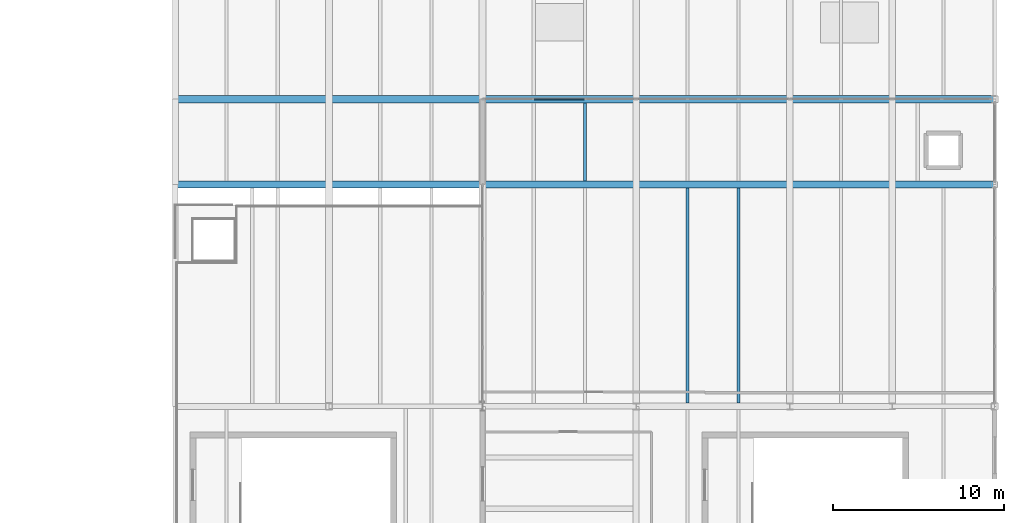
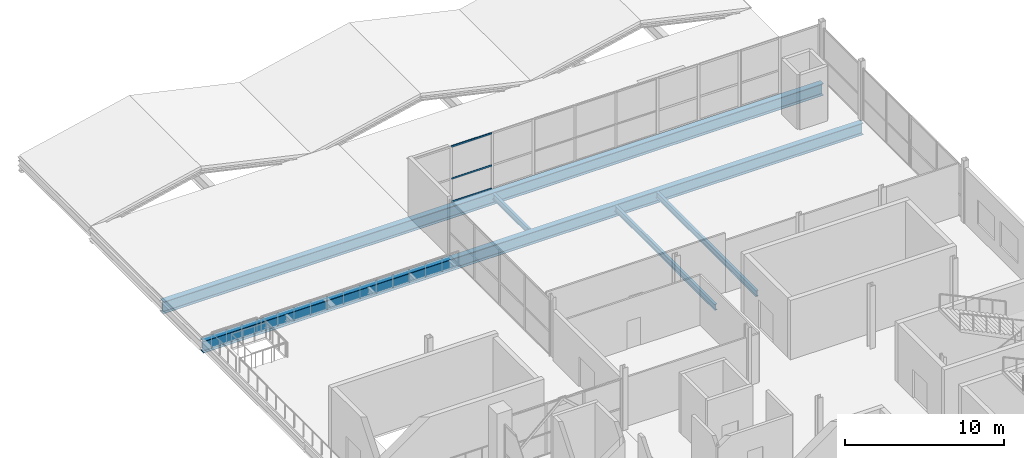
# One storey, part 23 of 50: 5 beams, 3 members, 1 element without a shape of its own.
"""IFC4 building model written with IfcOpenShell, lengths in metres."""

import ifcopenshell
import ifcopenshell.guid

model = None  # the IFC model being written
_history = None  # IfcOwnerHistory: only IFC2X3 demands one
_inside = {}  # id of a spatial element -> (the spatial element, [elements in it])
_under = {}  # id of a project, library or spatial element -> (it, [spatial elements below it])
_declared = {}  # id of a project -> (the project, [libraries it declares])
_typed = {}  # id of a type object -> (the type object, [elements of that type])
_made_of = {}  # id of a material, layer set ... -> (it, [elements and type objects made of it])


def new_model(schema):
    """Start an empty IFC model of exactly this schema.

    Asked for "IFC4X3", IfcOpenShell would pick the latest addendum, in which some entities
    have other attributes; the version numbers below select the first issue.
    IFC2X3 requires an IfcOwnerHistory on every rooted entity: one is made here for all.
    """
    global model, _history
    if schema == "IFC4X3":
        model = ifcopenshell.file(schema_version=(4, 3, 0, 0))
    else:
        model = ifcopenshell.file(schema=schema)
    _inside.clear()
    _under.clear()
    _declared.clear()
    _typed.clear()
    _made_of.clear()
    _history = None
    if model.schema == "IFC2X3":
        org = make("IfcOrganization", Name="unknown")
        user = make(
            "IfcPersonAndOrganization",
            ThePerson=make("IfcPerson", FamilyName="unknown"),
            TheOrganization=org,
        )
        app = make(
            "IfcApplication",
            ApplicationDeveloper=org,
            Version="unknown",
            ApplicationFullName="unknown",
            ApplicationIdentifier="unknown",
        )
        _history = make(
            "IfcOwnerHistory",
            OwningUser=user,
            OwningApplication=app,
            ChangeAction="ADDED",
            CreationDate=0,
        )
    return model


def make(cls, **values):
    """One entity of the class cls with the attributes given. An attribute that is None is left unset."""
    return model.create_entity(
        cls, **{name: value for name, value in values.items() if value is not None}
    )


def rooted(cls, **values):
    """An entity with a GlobalId (a new one), such as an element, a storey or a relation."""
    return make(cls, GlobalId=ifcopenshell.guid.new(), OwnerHistory=_history, **values)


def si_unit(unit_type, name, prefix=None):
    """IfcSIUnit, for example si_unit("LENGTHUNIT", "METRE", prefix="MILLI")."""
    return make("IfcSIUnit", UnitType=unit_type, Prefix=prefix, Name=name)


def assignment(units):
    """IfcUnitAssignment: the units of a project."""
    return None if units is None else make("IfcUnitAssignment", Units=units)


def point(xyz):
    """IfcCartesianPoint."""
    return None if xyz is None else make("IfcCartesianPoint", Coordinates=xyz)


def direction(xyz):
    """IfcDirection."""
    return None if xyz is None else make("IfcDirection", DirectionRatios=xyz)


def frame(location, z_axis=None, x_axis=None):
    """IfcAxis2Placement3D, a coordinate frame: its origin and axes. An axis left out is left unset."""
    return make(
        "IfcAxis2Placement3D",
        Location=point(location),
        Axis=direction(z_axis),
        RefDirection=direction(x_axis),
    )


def frame_2d(location, x_axis=None):
    """IfcAxis2Placement2D, a coordinate frame in the plane: its origin and x axis."""
    return make(
        "IfcAxis2Placement2D", Location=point(location), RefDirection=direction(x_axis)
    )


def origin():
    """The frame at (0, 0, 0) with its axes left unset."""
    return frame((0.0, 0.0, 0.0))


def origin_2d():
    """The frame at (0, 0) in the plane with its x axis left unset."""
    return frame_2d((0.0, 0.0))


def place(relative_to, where):
    """IfcLocalPlacement: puts the frame where relative to a parent placement (None: the world)."""
    return make(
        "IfcLocalPlacement", PlacementRelTo=relative_to, RelativePlacement=where
    )


def context(
    kind, dimensions, precision=None, world=None, true_north=None, identifier=None
):
    """IfcGeometricRepresentationContext, for example the 3D "Model" context."""
    return make(
        "IfcGeometricRepresentationContext",
        ContextIdentifier=identifier,
        ContextType=kind,
        CoordinateSpaceDimension=dimensions,
        Precision=precision,
        WorldCoordinateSystem=world,
        TrueNorth=true_north,
    )


def subcontext(parent, identifier, kind, view, scale=None):
    """IfcGeometricRepresentationSubContext, for example "Body" below "Model"."""
    return make(
        "IfcGeometricRepresentationSubContext",
        ContextIdentifier=identifier,
        ContextType=kind,
        ParentContext=parent,
        TargetScale=scale,
        TargetView=view,
    )


def project(units=None, contexts=None):
    """IfcProject with its units and contexts."""
    return rooted(
        "IfcProject",
        Name="project",
        RepresentationContexts=contexts,
        UnitsInContext=assignment(units),
    )


def spatial(cls, under=None, at=None, **own):
    """A site, building, storey or space (cls), placed at a placement, below another one or the project."""
    s = rooted(cls, ObjectPlacement=at, **own)
    if under is not None:
        _under.setdefault(under.id(), (under, []))[1].append(s)
    return s


def profile(cls, at=None, kind="AREA", **sizes):
    """A parametric profile (cls). Its sizes go by their IFC names, for example OverallWidth=200.0."""
    return make(cls, ProfileType=kind, Position=at, **sizes)


def rectangle(**sizes):
    """IfcRectangleProfileDef."""
    return profile("IfcRectangleProfileDef", **sizes)


def i_section(**sizes):
    """IfcIShapeProfileDef."""
    return profile("IfcIShapeProfileDef", **sizes)


def extrude(swept, where, along, depth):
    """IfcExtrudedAreaSolid: the profile swept, set in the frame where, extruded along a direction by depth."""
    return make(
        "IfcExtrudedAreaSolid",
        SweptArea=swept,
        Position=where,
        ExtrudedDirection=direction(along),
        Depth=depth,
    )


def shape(context_of_items, identifier, shape_type, items):
    """IfcShapeRepresentation: the items that make up one representation, for example the "Body"."""
    return make(
        "IfcShapeRepresentation",
        ContextOfItems=context_of_items,
        RepresentationIdentifier=identifier,
        RepresentationType=shape_type,
        Items=items,
    )


def material(Name=None, Category=None):
    """IfcMaterial."""
    return make("IfcMaterial", Name=Name, Category=Category)


def layer(
    of_material, thickness, ventilated=None, Name=None, Category=None, Priority=None
):
    """IfcMaterialLayer: one layer of a wall or slab, of a material (None: an air gap)."""
    return make(
        "IfcMaterialLayer",
        Material=of_material,
        LayerThickness=thickness,
        IsVentilated=ventilated,
        Name=Name,
        Category=Category,
        Priority=Priority,
    )


def layer_set(layers, Name=None):
    """IfcMaterialLayerSet."""
    return make("IfcMaterialLayerSet", MaterialLayers=layers, LayerSetName=Name)


def material_profile(
    of_material, cross_section, Name=None, Category=None, Priority=None
):
    """IfcMaterialProfile: a cross section and its material."""
    return make(
        "IfcMaterialProfile",
        Name=Name,
        Material=of_material,
        Profile=cross_section,
        Priority=Priority,
        Category=Category,
    )


def profile_set(profiles, Name=None, composite=None):
    """IfcMaterialProfileSet."""
    return make(
        "IfcMaterialProfileSet",
        Name=Name,
        MaterialProfiles=profiles,
        CompositeProfile=composite,
    )


def made_of(thing, what):
    """Note that an element or type object is made of a material, layer set ...; save() writes the relation."""
    if what is not None:
        _made_of.setdefault(what.id(), (what, []))[1].append(thing)
    return thing


def type_object(cls, material=None, **own):
    """A type object (cls), such as IfcWallType, which elements share."""
    return made_of(rooted(cls, **own), material)


def element(
    cls,
    number,
    at=None,
    inside=None,
    cuts=None,
    type_object=None,
    material=None,
    context=None,
    identifier="Body",
    shape_type=None,
    held_by="IfcProductDefinitionShape",
    body=None,
    shapes=None,
    **own,
):
    """One element of the class cls, such as IfcWall. Its Tag is "e" and its number.

    at: its placement. inside: the storey or other place that contains it. cuts: it is an
    opening in that element (IfcRelVoidsElement). A single representation is given by context,
    identifier, shape_type and body (its items); several are given by shapes. held_by: the class
    of the entity that holds the representations. save() writes the other relations.
    """
    e = rooted(cls, Tag="e%d" % number, ObjectPlacement=at, **own)
    if body is not None:
        shapes = [shape(context, identifier, shape_type, body)]
    if shapes is not None:
        e.Representation = make(held_by, Representations=shapes)
    if inside is not None:
        _inside.setdefault(inside.id(), (inside, []))[1].append(e)
    if cuts is not None:
        rooted(
            "IfcRelVoidsElement", RelatingBuildingElement=cuts, RelatedOpeningElement=e
        )
    if type_object is not None:
        _typed.setdefault(type_object.id(), (type_object, []))[1].append(e)
    return made_of(e, material)


def aggregate(whole, parts):
    """IfcRelAggregates: a whole, such as a stair, and the parts it consists of."""
    return rooted("IfcRelAggregates", RelatingObject=whole, RelatedObjects=parts)


def save(model, path):
    """Write the relations noted so far, then the file.

    IfcRelAggregates (storeys below a building ...), IfcRelContainedInSpatialStructure (elements
    in a storey), IfcRelDefinesByType, IfcRelAssociatesMaterial and IfcRelDeclares: one each for
    every whole, place, type object, material and project.
    """
    for whole, parts in _under.values():
        aggregate(whole, parts)
    for where, things in _inside.values():
        rooted(
            "IfcRelContainedInSpatialStructure",
            RelatedElements=things,
            RelatingStructure=where,
        )
    for kind, things in _typed.values():
        rooted("IfcRelDefinesByType", RelatedObjects=things, RelatingType=kind)
    for what, things in _made_of.values():
        rooted("IfcRelAssociatesMaterial", RelatedObjects=things, RelatingMaterial=what)
    for by, libraries in _declared.values():
        rooted("IfcRelDeclares", RelatingContext=by, RelatedDefinitions=libraries)
    model.write(path)


model = new_model("IFC4")

# Units and contexts
model_context = context("Model", 3, precision=1e-05, world=origin(), true_north=direction((0.0, 1.0)))
body_context = subcontext(model_context, "Body", "Model", "MODEL_VIEW")
ifc_project = project(units=[si_unit("LENGTHUNIT", "METRE"), si_unit("AREAUNIT", "SQUARE_METRE"), si_unit("VOLUMEUNIT", "CUBIC_METRE"), si_unit("PLANEANGLEUNIT", "RADIAN"), si_unit("MASSUNIT", "GRAM", prefix="KILO")], contexts=[model_context])

# Site, building, storey
site_placement = place(None, origin())
site = spatial("IfcSite", under=ifc_project, at=site_placement, CompositionType="ELEMENT")
building_placement = place(site_placement, origin())
building = spatial("IfcBuilding", under=site, at=building_placement, Name="Qamarlyn Nura Convention Centre", CompositionType="ELEMENT")
storey_placement = place(building_placement, frame((0.0, 0.0, 20.39990234375)))
storey = spatial("IfcBuildingStorey", under=building, at=storey_placement, Name="L04", CompositionType="ELEMENT", Elevation=20.39990234375)

# Beams
ifc_material_1 = material(Name="Steel ASTM A992", Category="steel")
ifc_material_profile_1 = material_profile(ifc_material_1, i_section(OverallWidth=0.41796875, OverallDepth=0.912109375, WebThickness=0.019287109375, FlangeThickness=0.031982421875, FilletRadius=0.02392578125, at=origin_2d()), Name="W920X342")
ifc_profile_set_1 = profile_set([ifc_material_profile_1], Name="Steel ASTM A992")
beam_type_1 = type_object("IfcBeamType", Name="BM-GIRD-920", PredefinedType="BEAM", material=ifc_profile_set_1)
for number, where, z_axis, x_axis, name in (
    (1, (144.0, 103.0, -0.656005859375), (1.0, 0.0, 0.0), (0.0, 1.0, 0.0), "L04 clear-span girder M-1"),
    (2, (144.0, 108.0, -0.656005859375), (1.0, 0.0, 0.0), (0.0, 1.0, 0.0), "L04 clear-span girder N-1"),
):
    element("IfcBeam", number, at=place(storey_placement, frame(where, z_axis=z_axis, x_axis=x_axis)), inside=storey, type_object=beam_type_1, Name=name, PredefinedType="BEAM", context=body_context, shape_type="SweptSolid", body=[
        extrude(i_section(OverallWidth=0.41796875, OverallDepth=0.912109375, WebThickness=0.019287109375, FlangeThickness=0.031982421875, FilletRadius=0.02392578125, at=origin_2d()), origin(), (0.0, 0.0, 1.0), 48.0),
    ])
ifc_material_profile_2 = material_profile(ifc_material_1, i_section(OverallWidth=0.18994140625, OverallDepth=0.45703125, WebThickness=0.009033203125, FlangeThickness=0.014404296875, FilletRadius=0.012939453125, at=origin_2d()), Name="W460X74")
ifc_profile_set_2 = profile_set([ifc_material_profile_2], Name="Steel ASTM A992")
beam_type_2 = type_object("IfcBeamType", Name="BM-JOIST-460", PredefinedType="JOIST", material=ifc_profile_set_2)
beam_placement = place(storey_placement, frame((168.0, 103.208984375, -0.428466796875), z_axis=(0.0, 1.0, 0.0), x_axis=(-1.0, 0.0, 0.0)))
element("IfcBeam", 3, at=beam_placement, inside=storey, type_object=beam_type_2, Name="L04 secondary joist 14-15/M-N-35", PredefinedType="JOIST", context=body_context, shape_type="SweptSolid", body=[
    extrude(i_section(OverallWidth=0.18994140625, OverallDepth=0.45703125, WebThickness=0.009033203125, FlangeThickness=0.014404296875, FilletRadius=0.012939453125, at=origin_2d()), origin(), (0.0, 0.0, 1.0), 4.58203125),
])
for number, where, z_axis, x_axis, name in (
    (4, (174.0, 90.1904296875, -0.428466796875), (0.0, 1.0, 0.0), (-1.0, 0.0, 0.0), "L04 secondary joist 15-16/L-M-52"),
    (5, (177.0, 90.1904296875, -0.428466796875), (0.0, 1.0, 0.0), (-1.0, 0.0, 0.0), "L04 secondary joist 15-16/L-M-53"),
):
    element("IfcBeam", number, at=place(storey_placement, frame(where, z_axis=z_axis, x_axis=x_axis)), inside=storey, type_object=beam_type_2, Name=name, PredefinedType="JOIST", context=body_context, shape_type="SweptSolid", body=[
        extrude(i_section(OverallWidth=0.18994140625, OverallDepth=0.45703125, WebThickness=0.009033203125, FlangeThickness=0.014404296875, FilletRadius=0.012939453125, at=origin_2d()), origin(), (0.0, 0.0, 1.0), 12.6005859375),
    ])

# Curtain wall, members
ifc_material_2 = material(Name="Double-silver low-E insulated glass", Category="glass")
ifc_layer = layer(ifc_material_2, 0.179931640625, Name="CW-UNIT-149")
ifc_layer_set = layer_set([ifc_layer], Name="Double-silver low-E insulated glass")
curtain_wall_type = type_object("IfcCurtainWallType", Name="CW-UNIT-149", PredefinedType="NOTDEFINED", material=ifc_layer_set)
curtain_wall_placement = place(storey_placement, origin())
curtain_wall = element("IfcCurtainWall", 6, at=curtain_wall_placement, inside=storey, type_object=curtain_wall_type, Name="L04 unitised curtain wall DLN-162-1", PredefinedType="NOTDEFINED")
ifc_material_3 = material(Name="Champagne-anodised marine aluminium", Category="aluminium")
ifc_material_profile_3 = material_profile(ifc_material_3, rectangle(XDim=0.06494140625, YDim=0.1201171875, at=origin_2d()), Name="ALU TRANSOM 65x120")
ifc_profile_set_3 = profile_set([ifc_material_profile_3], Name="Champagne-anodised marine aluminium")
member_type = type_object("IfcMemberType", Name="CWT-120", PredefinedType="USERDEFINED", material=ifc_profile_set_3)
member_1_placement = place(storey_placement, frame((165.032470703125, 108.0, 0.03271484375), z_axis=(1.0, 0.0, 0.0), x_axis=(0.0, 1.0, 0.0)))
member_1 = element("IfcMember", 7, at=member_1_placement, type_object=member_type, Name="CW149 transom 2.1", ObjectType="TRANSOM", PredefinedType="USERDEFINED", context=body_context, shape_type="SweptSolid", body=[
    extrude(rectangle(XDim=0.06494140625, YDim=0.1201171875, at=origin_2d()), origin(), (0.0, 0.0, 1.0), 2.93505859375),
])
member_2_placement = place(storey_placement, frame((165.032470703125, 108.0, 1.81005859375), z_axis=(1.0, 0.0, 0.0), x_axis=(0.0, 1.0, 0.0)))
member_2 = element("IfcMember", 8, at=member_2_placement, type_object=member_type, Name="CW149 transom 2.2", ObjectType="TRANSOM", PredefinedType="USERDEFINED", context=body_context, shape_type="SweptSolid", body=[
    extrude(rectangle(XDim=0.06494140625, YDim=0.1201171875, at=origin_2d()), origin(), (0.0, 0.0, 1.0), 2.93505859375),
])
member_3_placement = place(storey_placement, frame((165.032470703125, 108.0, 4.277587890625), z_axis=(1.0, 0.0, 0.0), x_axis=(0.0, 1.0, 0.0)))
member_3 = element("IfcMember", 9, at=member_3_placement, type_object=member_type, Name="CW149 transom 2.3", ObjectType="TRANSOM", PredefinedType="USERDEFINED", context=body_context, shape_type="SweptSolid", body=[
    extrude(rectangle(XDim=0.06494140625, YDim=0.1201171875, at=origin_2d()), origin(), (0.0, 0.0, 1.0), 2.93505859375),
])
aggregate(curtain_wall, [member_1, member_2, member_3])

save(model, "model.ifc")
